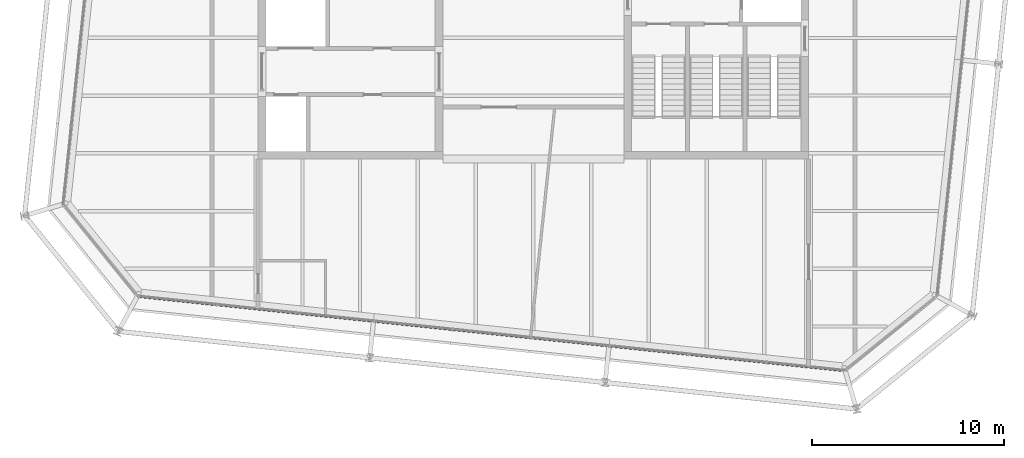
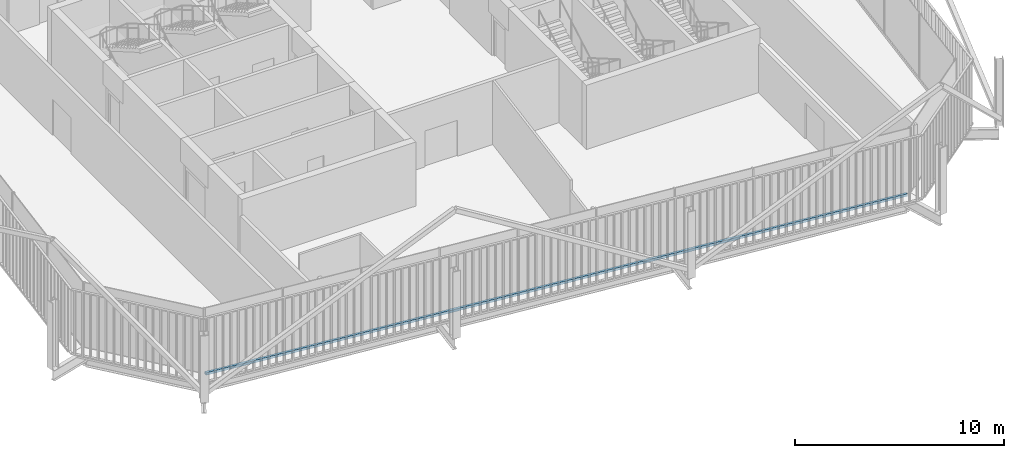
# One storey, part 4 of 21: 1 member, 1 element without a shape of its own.
"""IFC4 building model written with IfcOpenShell, lengths in metres."""

import ifcopenshell
import ifcopenshell.guid

model = None  # the IFC model being written
_history = None  # IfcOwnerHistory: only IFC2X3 demands one
_inside = {}  # id of a spatial element -> (the spatial element, [elements in it])
_under = {}  # id of a project, library or spatial element -> (it, [spatial elements below it])
_declared = {}  # id of a project -> (the project, [libraries it declares])
_typed = {}  # id of a type object -> (the type object, [elements of that type])
_made_of = {}  # id of a material, layer set ... -> (it, [elements and type objects made of it])


def new_model(schema):
    """Start an empty IFC model of exactly this schema.

    Asked for "IFC4X3", IfcOpenShell would pick the latest addendum, in which some entities
    have other attributes; the version numbers below select the first issue.
    IFC2X3 requires an IfcOwnerHistory on every rooted entity: one is made here for all.
    """
    global model, _history
    if schema == "IFC4X3":
        model = ifcopenshell.file(schema_version=(4, 3, 0, 0))
    else:
        model = ifcopenshell.file(schema=schema)
    _inside.clear()
    _under.clear()
    _declared.clear()
    _typed.clear()
    _made_of.clear()
    _history = None
    if model.schema == "IFC2X3":
        org = make("IfcOrganization", Name="unknown")
        user = make(
            "IfcPersonAndOrganization",
            ThePerson=make("IfcPerson", FamilyName="unknown"),
            TheOrganization=org,
        )
        app = make(
            "IfcApplication",
            ApplicationDeveloper=org,
            Version="unknown",
            ApplicationFullName="unknown",
            ApplicationIdentifier="unknown",
        )
        _history = make(
            "IfcOwnerHistory",
            OwningUser=user,
            OwningApplication=app,
            ChangeAction="ADDED",
            CreationDate=0,
        )
    return model


def make(cls, **values):
    """One entity of the class cls with the attributes given. An attribute that is None is left unset."""
    return model.create_entity(
        cls, **{name: value for name, value in values.items() if value is not None}
    )


def rooted(cls, **values):
    """An entity with a GlobalId (a new one), such as an element, a storey or a relation."""
    return make(cls, GlobalId=ifcopenshell.guid.new(), OwnerHistory=_history, **values)


def si_unit(unit_type, name, prefix=None):
    """IfcSIUnit, for example si_unit("LENGTHUNIT", "METRE", prefix="MILLI")."""
    return make("IfcSIUnit", UnitType=unit_type, Prefix=prefix, Name=name)


def assignment(units):
    """IfcUnitAssignment: the units of a project."""
    return None if units is None else make("IfcUnitAssignment", Units=units)


def point(xyz):
    """IfcCartesianPoint."""
    return None if xyz is None else make("IfcCartesianPoint", Coordinates=xyz)


def direction(xyz):
    """IfcDirection."""
    return None if xyz is None else make("IfcDirection", DirectionRatios=xyz)


def frame(location, z_axis=None, x_axis=None):
    """IfcAxis2Placement3D, a coordinate frame: its origin and axes. An axis left out is left unset."""
    return make(
        "IfcAxis2Placement3D",
        Location=point(location),
        Axis=direction(z_axis),
        RefDirection=direction(x_axis),
    )


def frame_2d(location, x_axis=None):
    """IfcAxis2Placement2D, a coordinate frame in the plane: its origin and x axis."""
    return make(
        "IfcAxis2Placement2D", Location=point(location), RefDirection=direction(x_axis)
    )


def origin():
    """The frame at (0, 0, 0) with its axes left unset."""
    return frame((0.0, 0.0, 0.0))


def origin_2d():
    """The frame at (0, 0) in the plane with its x axis left unset."""
    return frame_2d((0.0, 0.0))


def place(relative_to, where):
    """IfcLocalPlacement: puts the frame where relative to a parent placement (None: the world)."""
    return make(
        "IfcLocalPlacement", PlacementRelTo=relative_to, RelativePlacement=where
    )


def context(
    kind, dimensions, precision=None, world=None, true_north=None, identifier=None
):
    """IfcGeometricRepresentationContext, for example the 3D "Model" context."""
    return make(
        "IfcGeometricRepresentationContext",
        ContextIdentifier=identifier,
        ContextType=kind,
        CoordinateSpaceDimension=dimensions,
        Precision=precision,
        WorldCoordinateSystem=world,
        TrueNorth=true_north,
    )


def subcontext(parent, identifier, kind, view, scale=None):
    """IfcGeometricRepresentationSubContext, for example "Body" below "Model"."""
    return make(
        "IfcGeometricRepresentationSubContext",
        ContextIdentifier=identifier,
        ContextType=kind,
        ParentContext=parent,
        TargetScale=scale,
        TargetView=view,
    )


def project(units=None, contexts=None):
    """IfcProject with its units and contexts."""
    return rooted(
        "IfcProject",
        Name="project",
        RepresentationContexts=contexts,
        UnitsInContext=assignment(units),
    )


def spatial(cls, under=None, at=None, **own):
    """A site, building, storey or space (cls), placed at a placement, below another one or the project."""
    s = rooted(cls, ObjectPlacement=at, **own)
    if under is not None:
        _under.setdefault(under.id(), (under, []))[1].append(s)
    return s


def profile(cls, at=None, kind="AREA", **sizes):
    """A parametric profile (cls). Its sizes go by their IFC names, for example OverallWidth=200.0."""
    return make(cls, ProfileType=kind, Position=at, **sizes)


def rectangle(**sizes):
    """IfcRectangleProfileDef."""
    return profile("IfcRectangleProfileDef", **sizes)


def extrude(swept, where, along, depth):
    """IfcExtrudedAreaSolid: the profile swept, set in the frame where, extruded along a direction by depth."""
    return make(
        "IfcExtrudedAreaSolid",
        SweptArea=swept,
        Position=where,
        ExtrudedDirection=direction(along),
        Depth=depth,
    )


def shape(context_of_items, identifier, shape_type, items):
    """IfcShapeRepresentation: the items that make up one representation, for example the "Body"."""
    return make(
        "IfcShapeRepresentation",
        ContextOfItems=context_of_items,
        RepresentationIdentifier=identifier,
        RepresentationType=shape_type,
        Items=items,
    )


def material(Name=None, Category=None):
    """IfcMaterial."""
    return make("IfcMaterial", Name=Name, Category=Category)


def layer(
    of_material, thickness, ventilated=None, Name=None, Category=None, Priority=None
):
    """IfcMaterialLayer: one layer of a wall or slab, of a material (None: an air gap)."""
    return make(
        "IfcMaterialLayer",
        Material=of_material,
        LayerThickness=thickness,
        IsVentilated=ventilated,
        Name=Name,
        Category=Category,
        Priority=Priority,
    )


def layer_set(layers, Name=None):
    """IfcMaterialLayerSet."""
    return make("IfcMaterialLayerSet", MaterialLayers=layers, LayerSetName=Name)


def material_profile(
    of_material, cross_section, Name=None, Category=None, Priority=None
):
    """IfcMaterialProfile: a cross section and its material."""
    return make(
        "IfcMaterialProfile",
        Name=Name,
        Material=of_material,
        Profile=cross_section,
        Priority=Priority,
        Category=Category,
    )


def profile_set(profiles, Name=None, composite=None):
    """IfcMaterialProfileSet."""
    return make(
        "IfcMaterialProfileSet",
        Name=Name,
        MaterialProfiles=profiles,
        CompositeProfile=composite,
    )


def made_of(thing, what):
    """Note that an element or type object is made of a material, layer set ...; save() writes the relation."""
    if what is not None:
        _made_of.setdefault(what.id(), (what, []))[1].append(thing)
    return thing


def type_object(cls, material=None, **own):
    """A type object (cls), such as IfcWallType, which elements share."""
    return made_of(rooted(cls, **own), material)


def element(
    cls,
    number,
    at=None,
    inside=None,
    cuts=None,
    type_object=None,
    material=None,
    context=None,
    identifier="Body",
    shape_type=None,
    held_by="IfcProductDefinitionShape",
    body=None,
    shapes=None,
    **own,
):
    """One element of the class cls, such as IfcWall. Its Tag is "e" and its number.

    at: its placement. inside: the storey or other place that contains it. cuts: it is an
    opening in that element (IfcRelVoidsElement). A single representation is given by context,
    identifier, shape_type and body (its items); several are given by shapes. held_by: the class
    of the entity that holds the representations. save() writes the other relations.
    """
    e = rooted(cls, Tag="e%d" % number, ObjectPlacement=at, **own)
    if body is not None:
        shapes = [shape(context, identifier, shape_type, body)]
    if shapes is not None:
        e.Representation = make(held_by, Representations=shapes)
    if inside is not None:
        _inside.setdefault(inside.id(), (inside, []))[1].append(e)
    if cuts is not None:
        rooted(
            "IfcRelVoidsElement", RelatingBuildingElement=cuts, RelatedOpeningElement=e
        )
    if type_object is not None:
        _typed.setdefault(type_object.id(), (type_object, []))[1].append(e)
    return made_of(e, material)


def aggregate(whole, parts):
    """IfcRelAggregates: a whole, such as a stair, and the parts it consists of."""
    return rooted("IfcRelAggregates", RelatingObject=whole, RelatedObjects=parts)


def save(model, path):
    """Write the relations noted so far, then the file.

    IfcRelAggregates (storeys below a building ...), IfcRelContainedInSpatialStructure (elements
    in a storey), IfcRelDefinesByType, IfcRelAssociatesMaterial and IfcRelDeclares: one each for
    every whole, place, type object, material and project.
    """
    for whole, parts in _under.values():
        aggregate(whole, parts)
    for where, things in _inside.values():
        rooted(
            "IfcRelContainedInSpatialStructure",
            RelatedElements=things,
            RelatingStructure=where,
        )
    for kind, things in _typed.values():
        rooted("IfcRelDefinesByType", RelatedObjects=things, RelatingType=kind)
    for what, things in _made_of.values():
        rooted("IfcRelAssociatesMaterial", RelatedObjects=things, RelatingMaterial=what)
    for by, libraries in _declared.values():
        rooted("IfcRelDeclares", RelatingContext=by, RelatedDefinitions=libraries)
    model.write(path)


model = new_model("IFC4")

# Units and contexts
model_context = context("Model", 3, precision=1e-05, world=origin(), true_north=direction((0.0, 1.0)))
body_context = subcontext(model_context, "Body", "Model", "MODEL_VIEW")
ifc_project = project(units=[si_unit("LENGTHUNIT", "METRE"), si_unit("AREAUNIT", "SQUARE_METRE"), si_unit("VOLUMEUNIT", "CUBIC_METRE"), si_unit("PLANEANGLEUNIT", "RADIAN"), si_unit("MASSUNIT", "GRAM", prefix="KILO")], contexts=[model_context])

# Site, building, storey
site_placement = place(None, origin())
site = spatial("IfcSite", under=ifc_project, at=site_placement, CompositionType="ELEMENT")
building_placement = place(site_placement, origin())
building = spatial("IfcBuilding", under=site, at=building_placement, Name="Millrace Tower", CompositionType="ELEMENT")
storey_placement = place(building_placement, frame((0.0, 0.0, 334.300048828125)))
storey = spatial("IfcBuildingStorey", under=building, at=storey_placement, Name="L77", CompositionType="ELEMENT", Elevation=334.300048828125)

# Curtain wall, member
ifc_material_1 = material(Name="Aluminium and glass", Category="aluminium")
ifc_layer = layer(ifc_material_1, 0.14990234375)
ifc_layer_set = layer_set([ifc_layer], Name="Aluminium and glass")
curtain_wall_type = type_object("IfcCurtainWallType", Name="CW-1 office vision curtain wall", PredefinedType="NOTDEFINED", material=ifc_layer_set)
curtain_wall_placement = place(storey_placement, origin())
curtain_wall = element("IfcCurtainWall", 1, at=curtain_wall_placement, inside=storey, type_object=curtain_wall_type, Name="Curtain wall E-F02 L77", PredefinedType="NOTDEFINED")
ifc_material_2 = material(Name="Aluminium", Category="aluminium")
ifc_material_profile = material_profile(ifc_material_2, rectangle(XDim=0.14990234375, YDim=0.139892578125, at=origin_2d()))
ifc_profile_set = profile_set([ifc_material_profile], Name="Aluminium")
member_type = type_object("IfcMemberType", Name="CW-1 office vision curtain wall transom", PredefinedType="USERDEFINED", material=ifc_profile_set)
member_placement = place(storey_placement, frame((-20.435302734375, -16.431884765625, 0.070068359375), z_axis=(0.994521952886, -0.104527916025, 0.0), x_axis=(0.104527916025, 0.994521952886, 0.0)))
member = element("IfcMember", 2, at=member_placement, type_object=member_type, Name="CW1 transom E-F02.1", ObjectType="TRANSOM", PredefinedType="USERDEFINED", context=body_context, shape_type="SweptSolid", body=[
    extrude(rectangle(XDim=0.14990234375, YDim=0.139892578125, at=origin_2d()), origin(), (0.0, 0.0, 1.0), 36.699951171875),
])
aggregate(curtain_wall, [member])

save(model, "model.ifc")
